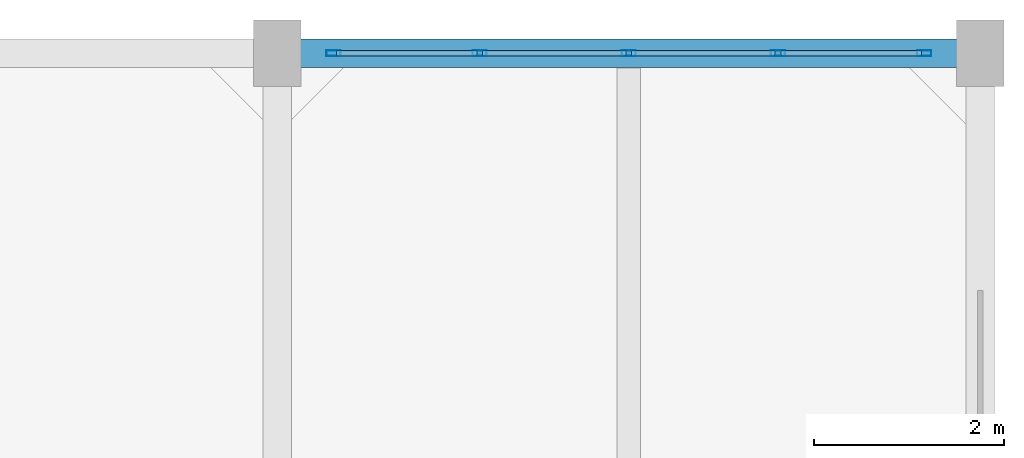
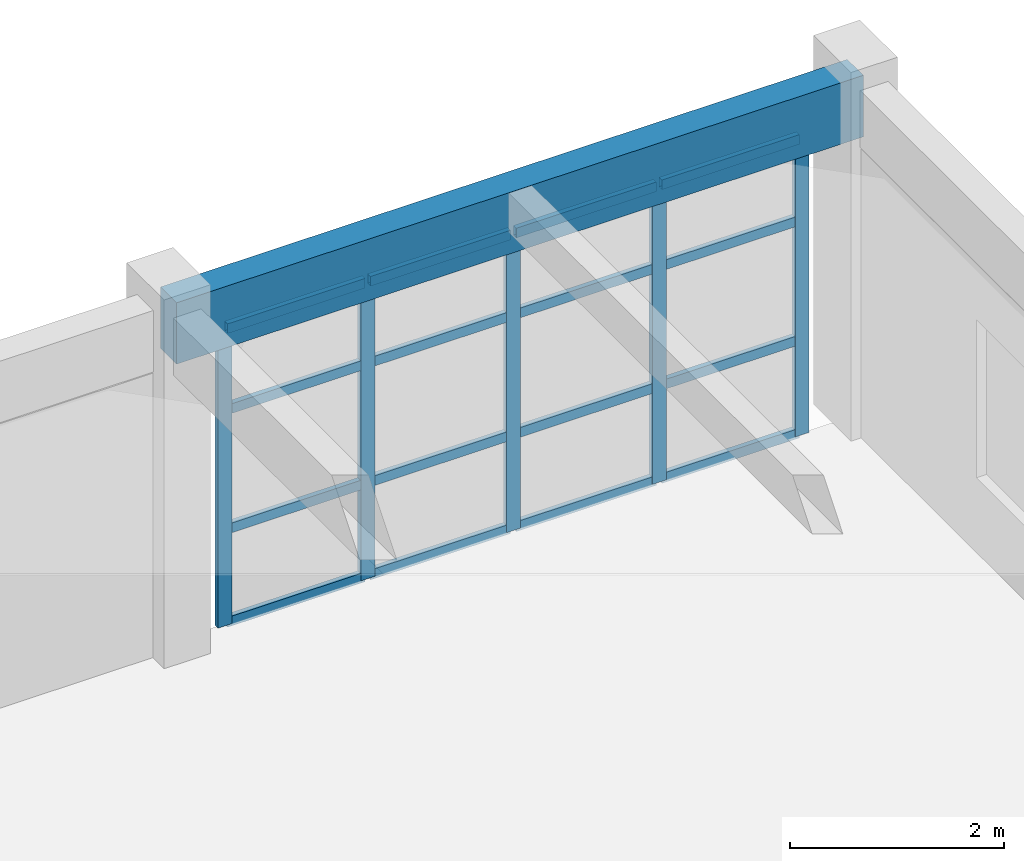
# One storey, part 12 of 18: 21 members, 1 beam, 1 element without a shape of its own.
"""IFC4 building model written with IfcOpenShell, lengths in metres."""

import ifcopenshell
import ifcopenshell.guid

model = None  # the IFC model being written
_history = None  # IfcOwnerHistory: only IFC2X3 demands one
_inside = {}  # id of a spatial element -> (the spatial element, [elements in it])
_under = {}  # id of a project, library or spatial element -> (it, [spatial elements below it])
_declared = {}  # id of a project -> (the project, [libraries it declares])
_typed = {}  # id of a type object -> (the type object, [elements of that type])
_made_of = {}  # id of a material, layer set ... -> (it, [elements and type objects made of it])


def new_model(schema):
    """Start an empty IFC model of exactly this schema.

    Asked for "IFC4X3", IfcOpenShell would pick the latest addendum, in which some entities
    have other attributes; the version numbers below select the first issue.
    IFC2X3 requires an IfcOwnerHistory on every rooted entity: one is made here for all.
    """
    global model, _history
    if schema == "IFC4X3":
        model = ifcopenshell.file(schema_version=(4, 3, 0, 0))
    else:
        model = ifcopenshell.file(schema=schema)
    _inside.clear()
    _under.clear()
    _declared.clear()
    _typed.clear()
    _made_of.clear()
    _history = None
    if model.schema == "IFC2X3":
        org = make("IfcOrganization", Name="unknown")
        user = make(
            "IfcPersonAndOrganization",
            ThePerson=make("IfcPerson", FamilyName="unknown"),
            TheOrganization=org,
        )
        app = make(
            "IfcApplication",
            ApplicationDeveloper=org,
            Version="unknown",
            ApplicationFullName="unknown",
            ApplicationIdentifier="unknown",
        )
        _history = make(
            "IfcOwnerHistory",
            OwningUser=user,
            OwningApplication=app,
            ChangeAction="ADDED",
            CreationDate=0,
        )
    return model


def make(cls, **values):
    """One entity of the class cls with the attributes given. An attribute that is None is left unset."""
    return model.create_entity(
        cls, **{name: value for name, value in values.items() if value is not None}
    )


def rooted(cls, **values):
    """An entity with a GlobalId (a new one), such as an element, a storey or a relation."""
    return make(cls, GlobalId=ifcopenshell.guid.new(), OwnerHistory=_history, **values)


def si_unit(unit_type, name, prefix=None):
    """IfcSIUnit, for example si_unit("LENGTHUNIT", "METRE", prefix="MILLI")."""
    return make("IfcSIUnit", UnitType=unit_type, Prefix=prefix, Name=name)


def assignment(units):
    """IfcUnitAssignment: the units of a project."""
    return None if units is None else make("IfcUnitAssignment", Units=units)


def point(xyz):
    """IfcCartesianPoint."""
    return None if xyz is None else make("IfcCartesianPoint", Coordinates=xyz)


def direction(xyz):
    """IfcDirection."""
    return None if xyz is None else make("IfcDirection", DirectionRatios=xyz)


def frame(location, z_axis=None, x_axis=None):
    """IfcAxis2Placement3D, a coordinate frame: its origin and axes. An axis left out is left unset."""
    return make(
        "IfcAxis2Placement3D",
        Location=point(location),
        Axis=direction(z_axis),
        RefDirection=direction(x_axis),
    )


def frame_2d(location, x_axis=None):
    """IfcAxis2Placement2D, a coordinate frame in the plane: its origin and x axis."""
    return make(
        "IfcAxis2Placement2D", Location=point(location), RefDirection=direction(x_axis)
    )


def origin():
    """The frame at (0, 0, 0) with its axes left unset."""
    return frame((0.0, 0.0, 0.0))


def origin_2d():
    """The frame at (0, 0) in the plane with its x axis left unset."""
    return frame_2d((0.0, 0.0))


def place(relative_to, where):
    """IfcLocalPlacement: puts the frame where relative to a parent placement (None: the world)."""
    return make(
        "IfcLocalPlacement", PlacementRelTo=relative_to, RelativePlacement=where
    )


def context(
    kind, dimensions, precision=None, world=None, true_north=None, identifier=None
):
    """IfcGeometricRepresentationContext, for example the 3D "Model" context."""
    return make(
        "IfcGeometricRepresentationContext",
        ContextIdentifier=identifier,
        ContextType=kind,
        CoordinateSpaceDimension=dimensions,
        Precision=precision,
        WorldCoordinateSystem=world,
        TrueNorth=true_north,
    )


def subcontext(parent, identifier, kind, view, scale=None):
    """IfcGeometricRepresentationSubContext, for example "Body" below "Model"."""
    return make(
        "IfcGeometricRepresentationSubContext",
        ContextIdentifier=identifier,
        ContextType=kind,
        ParentContext=parent,
        TargetScale=scale,
        TargetView=view,
    )


def project(units=None, contexts=None):
    """IfcProject with its units and contexts."""
    return rooted(
        "IfcProject",
        Name="project",
        RepresentationContexts=contexts,
        UnitsInContext=assignment(units),
    )


def spatial(cls, under=None, at=None, **own):
    """A site, building, storey or space (cls), placed at a placement, below another one or the project."""
    s = rooted(cls, ObjectPlacement=at, **own)
    if under is not None:
        _under.setdefault(under.id(), (under, []))[1].append(s)
    return s


def profile(cls, at=None, kind="AREA", **sizes):
    """A parametric profile (cls). Its sizes go by their IFC names, for example OverallWidth=200.0."""
    return make(cls, ProfileType=kind, Position=at, **sizes)


def rectangle(**sizes):
    """IfcRectangleProfileDef."""
    return profile("IfcRectangleProfileDef", **sizes)


def hollow_rectangle(**sizes):
    """IfcRectangleHollowProfileDef."""
    return profile("IfcRectangleHollowProfileDef", **sizes)


def extrude(swept, where, along, depth):
    """IfcExtrudedAreaSolid: the profile swept, set in the frame where, extruded along a direction by depth."""
    return make(
        "IfcExtrudedAreaSolid",
        SweptArea=swept,
        Position=where,
        ExtrudedDirection=direction(along),
        Depth=depth,
    )


def shape(context_of_items, identifier, shape_type, items):
    """IfcShapeRepresentation: the items that make up one representation, for example the "Body"."""
    return make(
        "IfcShapeRepresentation",
        ContextOfItems=context_of_items,
        RepresentationIdentifier=identifier,
        RepresentationType=shape_type,
        Items=items,
    )


def material(Name=None, Category=None):
    """IfcMaterial."""
    return make("IfcMaterial", Name=Name, Category=Category)


def layer(
    of_material, thickness, ventilated=None, Name=None, Category=None, Priority=None
):
    """IfcMaterialLayer: one layer of a wall or slab, of a material (None: an air gap)."""
    return make(
        "IfcMaterialLayer",
        Material=of_material,
        LayerThickness=thickness,
        IsVentilated=ventilated,
        Name=Name,
        Category=Category,
        Priority=Priority,
    )


def layer_set(layers, Name=None):
    """IfcMaterialLayerSet."""
    return make("IfcMaterialLayerSet", MaterialLayers=layers, LayerSetName=Name)


def material_profile(
    of_material, cross_section, Name=None, Category=None, Priority=None
):
    """IfcMaterialProfile: a cross section and its material."""
    return make(
        "IfcMaterialProfile",
        Name=Name,
        Material=of_material,
        Profile=cross_section,
        Priority=Priority,
        Category=Category,
    )


def profile_set(profiles, Name=None, composite=None):
    """IfcMaterialProfileSet."""
    return make(
        "IfcMaterialProfileSet",
        Name=Name,
        MaterialProfiles=profiles,
        CompositeProfile=composite,
    )


def made_of(thing, what):
    """Note that an element or type object is made of a material, layer set ...; save() writes the relation."""
    if what is not None:
        _made_of.setdefault(what.id(), (what, []))[1].append(thing)
    return thing


def type_object(cls, material=None, **own):
    """A type object (cls), such as IfcWallType, which elements share."""
    return made_of(rooted(cls, **own), material)


def element(
    cls,
    number,
    at=None,
    inside=None,
    cuts=None,
    type_object=None,
    material=None,
    context=None,
    identifier="Body",
    shape_type=None,
    held_by="IfcProductDefinitionShape",
    body=None,
    shapes=None,
    **own,
):
    """One element of the class cls, such as IfcWall. Its Tag is "e" and its number.

    at: its placement. inside: the storey or other place that contains it. cuts: it is an
    opening in that element (IfcRelVoidsElement). A single representation is given by context,
    identifier, shape_type and body (its items); several are given by shapes. held_by: the class
    of the entity that holds the representations. save() writes the other relations.
    """
    e = rooted(cls, Tag="e%d" % number, ObjectPlacement=at, **own)
    if body is not None:
        shapes = [shape(context, identifier, shape_type, body)]
    if shapes is not None:
        e.Representation = make(held_by, Representations=shapes)
    if inside is not None:
        _inside.setdefault(inside.id(), (inside, []))[1].append(e)
    if cuts is not None:
        rooted(
            "IfcRelVoidsElement", RelatingBuildingElement=cuts, RelatedOpeningElement=e
        )
    if type_object is not None:
        _typed.setdefault(type_object.id(), (type_object, []))[1].append(e)
    return made_of(e, material)


def aggregate(whole, parts):
    """IfcRelAggregates: a whole, such as a stair, and the parts it consists of."""
    return rooted("IfcRelAggregates", RelatingObject=whole, RelatedObjects=parts)


def save(model, path):
    """Write the relations noted so far, then the file.

    IfcRelAggregates (storeys below a building ...), IfcRelContainedInSpatialStructure (elements
    in a storey), IfcRelDefinesByType, IfcRelAssociatesMaterial and IfcRelDeclares: one each for
    every whole, place, type object, material and project.
    """
    for whole, parts in _under.values():
        aggregate(whole, parts)
    for where, things in _inside.values():
        rooted(
            "IfcRelContainedInSpatialStructure",
            RelatedElements=things,
            RelatingStructure=where,
        )
    for kind, things in _typed.values():
        rooted("IfcRelDefinesByType", RelatedObjects=things, RelatingType=kind)
    for what, things in _made_of.values():
        rooted("IfcRelAssociatesMaterial", RelatedObjects=things, RelatingMaterial=what)
    for by, libraries in _declared.values():
        rooted("IfcRelDeclares", RelatingContext=by, RelatedDefinitions=libraries)
    model.write(path)


model = new_model("IFC4")

# Units and contexts
model_context = context("Model", 3, precision=1e-05, world=origin(), true_north=direction((0.0, 1.0)))
body_context = subcontext(model_context, "Body", "Model", "MODEL_VIEW")
ifc_project = project(units=[si_unit("LENGTHUNIT", "METRE"), si_unit("AREAUNIT", "SQUARE_METRE"), si_unit("VOLUMEUNIT", "CUBIC_METRE"), si_unit("PLANEANGLEUNIT", "RADIAN"), si_unit("MASSUNIT", "GRAM", prefix="KILO")], contexts=[model_context])

# Site, building, storey
site_placement = place(None, origin())
site = spatial("IfcSite", under=ifc_project, at=site_placement, CompositionType="ELEMENT")
building_placement = place(site_placement, origin())
building = spatial("IfcBuilding", under=site, at=building_placement, Name="Canggui Botanical Conservatory", CompositionType="ELEMENT")
storey_placement = place(building_placement, frame((0.0, 0.0, 61.199951171875)))
storey = spatial("IfcBuildingStorey", under=building, at=storey_placement, Name="L15", CompositionType="ELEMENT", Elevation=61.199951171875)

# Beam
ifc_material_1 = material(Name="Concrete C35", Category="concrete")
ifc_material_profile_1 = material_profile(ifc_material_1, rectangle(XDim=0.300048828125, YDim=0.699951171875, at=origin_2d()), Name="RB 300x700")
ifc_profile_set_1 = profile_set([ifc_material_profile_1], Name="Concrete C35")
beam_type = type_object("IfcBeamType", Name="BM-KL21", PredefinedType="BEAM", material=ifc_profile_set_1)
beam_placement = place(storey_placement, frame((170.0, 66.0, 3.610107421875), z_axis=(1.0, 0.0, 0.0), x_axis=(0.0, 1.0, 0.0)))
element("IfcBeam", 1, at=beam_placement, inside=storey, type_object=beam_type, Name="Frame Girder L15 Y66-4", PredefinedType="BEAM", context=body_context, shape_type="SweptSolid", body=[
    extrude(rectangle(XDim=0.300048828125, YDim=0.699951171875, at=origin_2d()), origin(), (0.0, 0.0, 1.0), 7.39990234375),
])

# Curtain wall, members
ifc_material_2 = material(Name="Thermally Broken Aluminium", Category="aluminium")
ifc_layer = layer(ifc_material_2, 0.14990234375, Name="Thermally Broken Aluminium", Category="aluminium")
ifc_layer_set = layer_set([ifc_layer], Name="Thermally Broken Aluminium")
curtain_wall_type = type_object("IfcCurtainWallType", Name="CW-UNIT-C", PredefinedType="USERDEFINED", material=ifc_layer_set)
curtain_wall_placement = place(storey_placement, origin())
curtain_wall = element("IfcCurtainWall", 2, at=curtain_wall_placement, inside=storey, type_object=curtain_wall_type, Name="Facade Curtain Wall CW-TWR-L15-09", ObjectType="UNITISED CURTAIN WALL", PredefinedType="USERDEFINED")
ifc_material_profile_2 = material_profile(ifc_material_2, hollow_rectangle(XDim=0.06005859375, YDim=0.14990234375, WallThickness=0.00341796875, at=origin_2d()), Name="CWM 60x150x3.5")
ifc_profile_set_2 = profile_set([ifc_material_profile_2], Name="Thermally Broken Aluminium")
member_type_1 = type_object("IfcMemberType", Name="CWM-03", PredefinedType="MULLION", material=ifc_profile_set_2)
member_1_placement = place(storey_placement, frame((170.590087890625, 66.0, 0.0), z_axis=(0.0, 0.0, 1.0), x_axis=(0.0, 1.0, 0.0)))
member_1 = element("IfcMember", 3, at=member_1_placement, type_object=member_type_1, Name="CW-03 mullion 1", PredefinedType="MULLION", context=body_context, shape_type="SweptSolid", body=[
    extrude(hollow_rectangle(XDim=0.06005859375, YDim=0.14990234375, WallThickness=0.00341796875, at=origin_2d()), origin(), (0.0, 0.0, 1.0), 3.400146484375),
])
member_2_placement = place(storey_placement, frame((172.1298828125, 66.0, 0.0), z_axis=(0.0, 0.0, 1.0), x_axis=(0.0, 1.0, 0.0)))
member_2 = element("IfcMember", 4, at=member_2_placement, type_object=member_type_1, Name="CW-03 mullion 2", PredefinedType="MULLION", context=body_context, shape_type="SweptSolid", body=[
    extrude(hollow_rectangle(XDim=0.06005859375, YDim=0.14990234375, WallThickness=0.00341796875, at=origin_2d()), origin(), (0.0, 0.0, 1.0), 3.400146484375),
])
member_3_placement = place(storey_placement, frame((173.699951171875, 66.0, 0.0), z_axis=(0.0, 0.0, 1.0), x_axis=(0.0, 1.0, 0.0)))
member_3 = element("IfcMember", 5, at=member_3_placement, type_object=member_type_1, Name="CW-03 mullion 3", PredefinedType="MULLION", context=body_context, shape_type="SweptSolid", body=[
    extrude(hollow_rectangle(XDim=0.06005859375, YDim=0.14990234375, WallThickness=0.00341796875, at=origin_2d()), origin(), (0.0, 0.0, 1.0), 3.400146484375),
])
member_4_placement = place(storey_placement, frame((175.27001953125, 66.0, 0.0), z_axis=(0.0, 0.0, 1.0), x_axis=(0.0, 1.0, 0.0)))
member_4 = element("IfcMember", 6, at=member_4_placement, type_object=member_type_1, Name="CW-03 mullion 4", PredefinedType="MULLION", context=body_context, shape_type="SweptSolid", body=[
    extrude(hollow_rectangle(XDim=0.06005859375, YDim=0.14990234375, WallThickness=0.00341796875, at=origin_2d()), origin(), (0.0, 0.0, 1.0), 3.400146484375),
])
member_5_placement = place(storey_placement, frame((176.81005859375, 66.0, 0.0), z_axis=(0.0, 0.0, 1.0), x_axis=(0.0, 1.0, 0.0)))
member_5 = element("IfcMember", 7, at=member_5_placement, type_object=member_type_1, Name="CW-03 mullion 5", PredefinedType="MULLION", context=body_context, shape_type="SweptSolid", body=[
    extrude(hollow_rectangle(XDim=0.06005859375, YDim=0.14990234375, WallThickness=0.00341796875, at=origin_2d()), origin(), (0.0, 0.0, 1.0), 3.400146484375),
])
ifc_material_profile_3 = material_profile(ifc_material_2, hollow_rectangle(XDim=0.054931640625, YDim=0.110107421875, WallThickness=0.0029296875, at=origin_2d()), Name="CWT 55x110x3")
ifc_profile_set_3 = profile_set([ifc_material_profile_3], Name="Thermally Broken Aluminium")
member_type_2 = type_object("IfcMemberType", Name="CWT-03", PredefinedType="USERDEFINED", material=ifc_profile_set_3)
member_6_placement = place(storey_placement, frame((170.6201171875, 66.0, 0.027587890625), z_axis=(1.0, 0.0, 0.0), x_axis=(0.0, 1.0, 0.0)))
member_6 = element("IfcMember", 8, at=member_6_placement, type_object=member_type_2, Name="CW-03 transom 1.1", ObjectType="TRANSOM", PredefinedType="USERDEFINED", context=body_context, shape_type="SweptSolid", body=[
    extrude(hollow_rectangle(XDim=0.054931640625, YDim=0.110107421875, WallThickness=0.0029296875, at=origin_2d()), origin(), (0.0, 0.0, 1.0), 1.47998046875),
])
member_7_placement = place(storey_placement, frame((170.6201171875, 66.0, 1.088134765625), z_axis=(1.0, 0.0, 0.0), x_axis=(0.0, 1.0, 0.0)))
member_7 = element("IfcMember", 9, at=member_7_placement, type_object=member_type_2, Name="CW-03 transom 1.2", ObjectType="TRANSOM", PredefinedType="USERDEFINED", context=body_context, shape_type="SweptSolid", body=[
    extrude(hollow_rectangle(XDim=0.054931640625, YDim=0.110107421875, WallThickness=0.0029296875, at=origin_2d()), origin(), (0.0, 0.0, 1.0), 1.47998046875),
])
member_8_placement = place(storey_placement, frame((170.6201171875, 66.0, 2.447998046875), z_axis=(1.0, 0.0, 0.0), x_axis=(0.0, 1.0, 0.0)))
member_8 = element("IfcMember", 10, at=member_8_placement, type_object=member_type_2, Name="CW-03 transom 1.3", ObjectType="TRANSOM", PredefinedType="USERDEFINED", context=body_context, shape_type="SweptSolid", body=[
    extrude(hollow_rectangle(XDim=0.054931640625, YDim=0.110107421875, WallThickness=0.0029296875, at=origin_2d()), origin(), (0.0, 0.0, 1.0), 1.47998046875),
])
member_9_placement = place(storey_placement, frame((170.6201171875, 66.0, 3.37255859375), z_axis=(1.0, 0.0, 0.0), x_axis=(0.0, 1.0, 0.0)))
member_9 = element("IfcMember", 11, at=member_9_placement, type_object=member_type_2, Name="CW-03 transom 1.4", ObjectType="TRANSOM", PredefinedType="USERDEFINED", context=body_context, shape_type="SweptSolid", body=[
    extrude(hollow_rectangle(XDim=0.054931640625, YDim=0.110107421875, WallThickness=0.0029296875, at=origin_2d()), origin(), (0.0, 0.0, 1.0), 1.47998046875),
])
member_10_placement = place(storey_placement, frame((172.159912109375, 66.0, 0.027587890625), z_axis=(1.0, 0.0, 0.0), x_axis=(0.0, 1.0, 0.0)))
member_10 = element("IfcMember", 12, at=member_10_placement, type_object=member_type_2, Name="CW-03 transom 2.1", ObjectType="TRANSOM", PredefinedType="USERDEFINED", context=body_context, shape_type="SweptSolid", body=[
    extrude(hollow_rectangle(XDim=0.054931640625, YDim=0.110107421875, WallThickness=0.0029296875, at=origin_2d()), origin(), (0.0, 0.0, 1.0), 1.510009765625),
])
member_11_placement = place(storey_placement, frame((172.159912109375, 66.0, 1.088134765625), z_axis=(1.0, 0.0, 0.0), x_axis=(0.0, 1.0, 0.0)))
member_11 = element("IfcMember", 13, at=member_11_placement, type_object=member_type_2, Name="CW-03 transom 2.2", ObjectType="TRANSOM", PredefinedType="USERDEFINED", context=body_context, shape_type="SweptSolid", body=[
    extrude(hollow_rectangle(XDim=0.054931640625, YDim=0.110107421875, WallThickness=0.0029296875, at=origin_2d()), origin(), (0.0, 0.0, 1.0), 1.510009765625),
])
member_12_placement = place(storey_placement, frame((172.159912109375, 66.0, 2.447998046875), z_axis=(1.0, 0.0, 0.0), x_axis=(0.0, 1.0, 0.0)))
member_12 = element("IfcMember", 14, at=member_12_placement, type_object=member_type_2, Name="CW-03 transom 2.3", ObjectType="TRANSOM", PredefinedType="USERDEFINED", context=body_context, shape_type="SweptSolid", body=[
    extrude(hollow_rectangle(XDim=0.054931640625, YDim=0.110107421875, WallThickness=0.0029296875, at=origin_2d()), origin(), (0.0, 0.0, 1.0), 1.510009765625),
])
member_13_placement = place(storey_placement, frame((172.159912109375, 66.0, 3.37255859375), z_axis=(1.0, 0.0, 0.0), x_axis=(0.0, 1.0, 0.0)))
member_13 = element("IfcMember", 15, at=member_13_placement, type_object=member_type_2, Name="CW-03 transom 2.4", ObjectType="TRANSOM", PredefinedType="USERDEFINED", context=body_context, shape_type="SweptSolid", body=[
    extrude(hollow_rectangle(XDim=0.054931640625, YDim=0.110107421875, WallThickness=0.0029296875, at=origin_2d()), origin(), (0.0, 0.0, 1.0), 1.510009765625),
])
member_14_placement = place(storey_placement, frame((173.72998046875, 66.0, 0.027587890625), z_axis=(1.0, 0.0, 0.0), x_axis=(0.0, 1.0, 0.0)))
member_14 = element("IfcMember", 16, at=member_14_placement, type_object=member_type_2, Name="CW-03 transom 3.1", ObjectType="TRANSOM", PredefinedType="USERDEFINED", context=body_context, shape_type="SweptSolid", body=[
    extrude(hollow_rectangle(XDim=0.054931640625, YDim=0.110107421875, WallThickness=0.0029296875, at=origin_2d()), origin(), (0.0, 0.0, 1.0), 1.510009765625),
])
member_15_placement = place(storey_placement, frame((173.72998046875, 66.0, 1.088134765625), z_axis=(1.0, 0.0, 0.0), x_axis=(0.0, 1.0, 0.0)))
member_15 = element("IfcMember", 17, at=member_15_placement, type_object=member_type_2, Name="CW-03 transom 3.2", ObjectType="TRANSOM", PredefinedType="USERDEFINED", context=body_context, shape_type="SweptSolid", body=[
    extrude(hollow_rectangle(XDim=0.054931640625, YDim=0.110107421875, WallThickness=0.0029296875, at=origin_2d()), origin(), (0.0, 0.0, 1.0), 1.510009765625),
])
member_16_placement = place(storey_placement, frame((173.72998046875, 66.0, 2.447998046875), z_axis=(1.0, 0.0, 0.0), x_axis=(0.0, 1.0, 0.0)))
member_16 = element("IfcMember", 18, at=member_16_placement, type_object=member_type_2, Name="CW-03 transom 3.3", ObjectType="TRANSOM", PredefinedType="USERDEFINED", context=body_context, shape_type="SweptSolid", body=[
    extrude(hollow_rectangle(XDim=0.054931640625, YDim=0.110107421875, WallThickness=0.0029296875, at=origin_2d()), origin(), (0.0, 0.0, 1.0), 1.510009765625),
])
member_17_placement = place(storey_placement, frame((173.72998046875, 66.0, 3.37255859375), z_axis=(1.0, 0.0, 0.0), x_axis=(0.0, 1.0, 0.0)))
member_17 = element("IfcMember", 19, at=member_17_placement, type_object=member_type_2, Name="CW-03 transom 3.4", ObjectType="TRANSOM", PredefinedType="USERDEFINED", context=body_context, shape_type="SweptSolid", body=[
    extrude(hollow_rectangle(XDim=0.054931640625, YDim=0.110107421875, WallThickness=0.0029296875, at=origin_2d()), origin(), (0.0, 0.0, 1.0), 1.510009765625),
])
member_18_placement = place(storey_placement, frame((175.300048828125, 66.0, 0.027587890625), z_axis=(1.0, 0.0, 0.0), x_axis=(0.0, 1.0, 0.0)))
member_18 = element("IfcMember", 20, at=member_18_placement, type_object=member_type_2, Name="CW-03 transom 4.1", ObjectType="TRANSOM", PredefinedType="USERDEFINED", context=body_context, shape_type="SweptSolid", body=[
    extrude(hollow_rectangle(XDim=0.054931640625, YDim=0.110107421875, WallThickness=0.0029296875, at=origin_2d()), origin(), (0.0, 0.0, 1.0), 1.47998046875),
])
member_19_placement = place(storey_placement, frame((175.300048828125, 66.0, 1.088134765625), z_axis=(1.0, 0.0, 0.0), x_axis=(0.0, 1.0, 0.0)))
member_19 = element("IfcMember", 21, at=member_19_placement, type_object=member_type_2, Name="CW-03 transom 4.2", ObjectType="TRANSOM", PredefinedType="USERDEFINED", context=body_context, shape_type="SweptSolid", body=[
    extrude(hollow_rectangle(XDim=0.054931640625, YDim=0.110107421875, WallThickness=0.0029296875, at=origin_2d()), origin(), (0.0, 0.0, 1.0), 1.47998046875),
])
member_20_placement = place(storey_placement, frame((175.300048828125, 66.0, 2.447998046875), z_axis=(1.0, 0.0, 0.0), x_axis=(0.0, 1.0, 0.0)))
member_20 = element("IfcMember", 22, at=member_20_placement, type_object=member_type_2, Name="CW-03 transom 4.3", ObjectType="TRANSOM", PredefinedType="USERDEFINED", context=body_context, shape_type="SweptSolid", body=[
    extrude(hollow_rectangle(XDim=0.054931640625, YDim=0.110107421875, WallThickness=0.0029296875, at=origin_2d()), origin(), (0.0, 0.0, 1.0), 1.47998046875),
])
member_21_placement = place(storey_placement, frame((175.300048828125, 66.0, 3.37255859375), z_axis=(1.0, 0.0, 0.0), x_axis=(0.0, 1.0, 0.0)))
member_21 = element("IfcMember", 23, at=member_21_placement, type_object=member_type_2, Name="CW-03 transom 4.4", ObjectType="TRANSOM", PredefinedType="USERDEFINED", context=body_context, shape_type="SweptSolid", body=[
    extrude(hollow_rectangle(XDim=0.054931640625, YDim=0.110107421875, WallThickness=0.0029296875, at=origin_2d()), origin(), (0.0, 0.0, 1.0), 1.47998046875),
])
aggregate(curtain_wall, [member_1, member_2, member_3, member_4, member_5, member_6, member_7, member_8, member_9, member_10, member_11, member_12, member_13, member_14, member_15, member_16, member_17, member_18, member_19, member_20, member_21])

save(model, "model.ifc")
